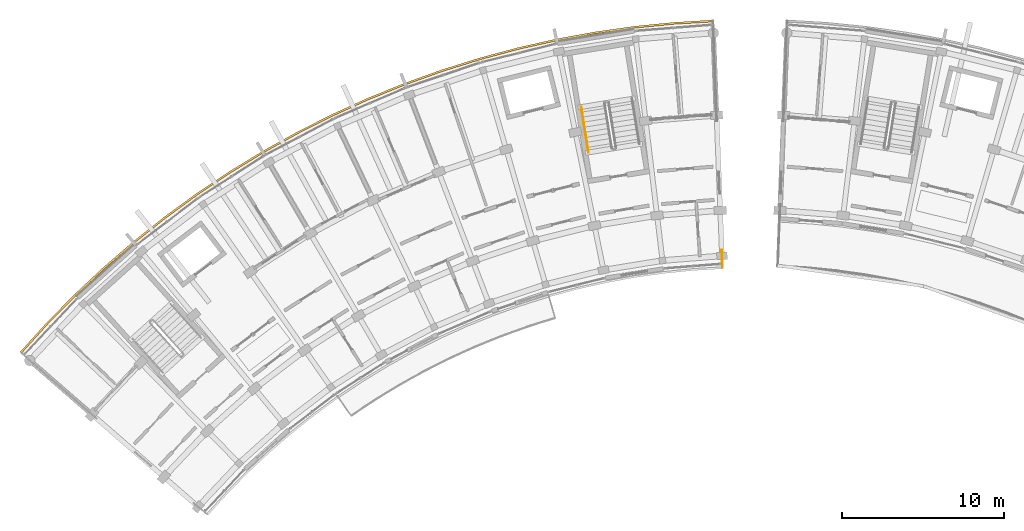
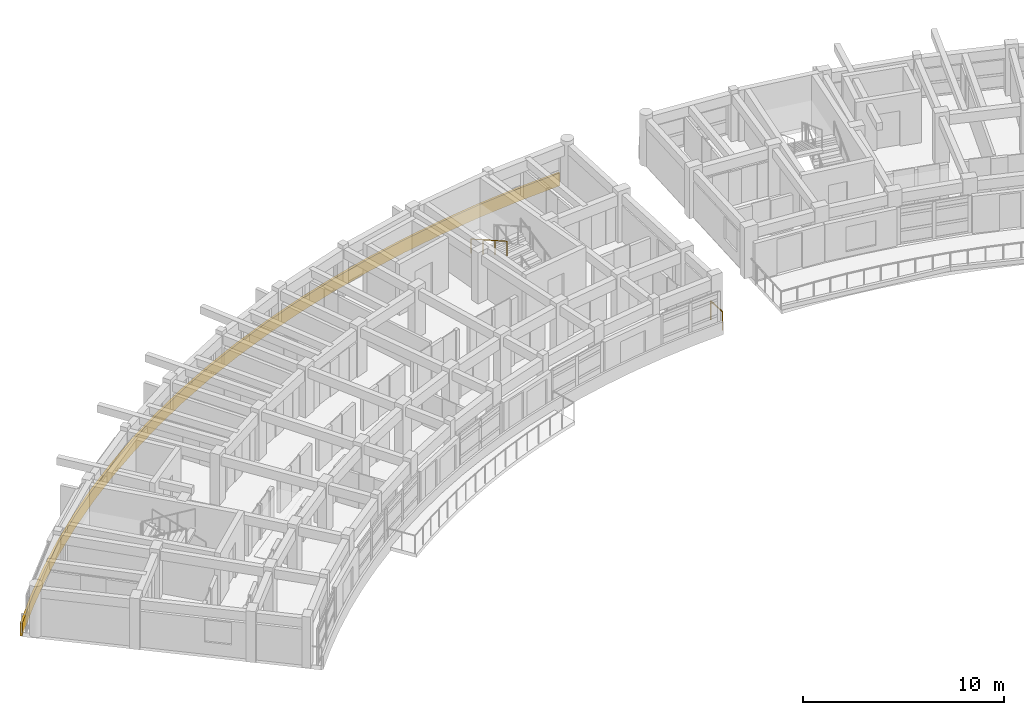
# One storey, part 31 of 38: 3 railings.
"""IFC4 building model written with IfcOpenShell, lengths in metres."""

from ifc_helpers import new_model, si_unit, direction, frame, origin, origin_2d, place, context, subcontext, project, spatial, polyline, circle, outline, extrude, material, type_object, element, save


model = new_model("IFC4")

# Units and contexts
model_context = context("Model", 3, precision=1e-05, world=origin(), true_north=direction((0.0, 1.0)))
body_context = subcontext(model_context, "Body", "Model", "MODEL_VIEW")
ifc_project = project(units=[si_unit("LENGTHUNIT", "METRE"), si_unit("AREAUNIT", "SQUARE_METRE"), si_unit("VOLUMEUNIT", "CUBIC_METRE"), si_unit("PLANEANGLEUNIT", "RADIAN"), si_unit("MASSUNIT", "GRAM", prefix="KILO")], contexts=[model_context])

# Site, building, storey
site_placement = place(None, origin())
site = spatial("IfcSite", under=ifc_project, at=site_placement, CompositionType="ELEMENT")
building_placement = place(site_placement, origin())
building = spatial("IfcBuilding", under=site, at=building_placement, Name="Zimvara Arc Housing Community", CompositionType="ELEMENT")
storey_placement = place(building_placement, frame((0.0, 0.0, 29.800048828125)))
storey = spatial("IfcBuildingStorey", under=building, at=storey_placement, Name="L09", CompositionType="ELEMENT", Elevation=29.800048828125)

# Railings
ifc_material_1 = material(Name="Anodised Aluminium AW-6063", Category="aluminium")
railing_type_1 = type_object("IfcRailingType", Name="RLG-BAL-1150", PredefinedType="BALUSTRADE", material=ifc_material_1)
railing_1_placement = place(storey_placement, frame((43.295654296875, 88.8671875, 0.0)))
element("IfcRailing", 1, at=railing_1_placement, inside=storey, type_object=railing_type_1, Name="rlg:blkA:L09:gable_in:gN", PredefinedType="BALUSTRADE", context=body_context, shape_type="SweptSolid", body=[
    extrude(circle(Radius=0.02392578125, at=origin_2d()), frame((0.0, 0.0, 1.1259765625), z_axis=(-0.038424441628, 0.999261508458, 0.0), x_axis=(-0.999261508458, -0.038424441628, 0.0)), (0.0, 0.0, 1.0), 1.080078125),
    extrude(circle(Radius=0.02099609375, at=origin_2d()), origin(), (0.0, 0.0, 1.0), 1.101806640625),
    extrude(circle(Radius=0.02099609375, at=origin_2d()), frame((-0.04150390625, 1.079345703125, 0.0)), (0.0, 0.0, 1.0), 1.101806640625),
])
ifc_material_2 = material(Name="Pale-Gold Anodised Aluminium AW-6063", Category="aluminium")
railing_type_2 = type_object("IfcRailingType", Name="RLG-FAS-780", PredefinedType="BALUSTRADE", material=ifc_material_2)
railing_2_placement = place(storey_placement, frame((0.0, 0.0, -0.219970703125)))
element("IfcRailing", 2, at=railing_2_placement, inside=storey, type_object=railing_type_2, Name="rlg:blkA:L09:gold_out", PredefinedType="BALUSTRADE", context=body_context, shape_type="SweptSolid", body=[
    extrude(outline(polyline([(0.049560546875, 83.574951171875), (1.682373046875, 85.377685546875), (3.387451171875, 87.112060546875), (5.162109375, 88.775634765625), (7.0029296875, 90.365234375), (8.9072265625, 91.87841796875), (10.871826171875, 93.3125), (12.893310546875, 94.665283203125), (14.96826171875, 95.934326171875), (17.09326171875, 97.11767578125), (19.264892578125, 98.213134765625), (21.4794921875, 99.218994140625), (23.733154296875, 100.1337890625), (26.0224609375, 100.955810546875), (28.34326171875, 101.68359375), (30.692138671875, 102.31591796875), (33.064453125, 102.851806640625), (35.45703125, 103.29052734375), (37.865234375, 103.631103515625), (40.28564453125, 103.873046875), (42.713623046875, 104.01611328125), (42.708984375, 104.135986328125), (40.276123046875, 103.99267578125), (37.850830078125, 103.750244140625), (35.437744140625, 103.408935546875), (33.04052734375, 102.969482421875), (30.6630859375, 102.432373046875), (28.309814453125, 101.798583984375), (25.984375, 101.069580078125), (23.6904296875, 100.245849609375), (21.43212890625, 99.329345703125), (19.213134765625, 98.3212890625), (17.037109375, 97.2236328125), (14.90771484375, 96.037841796875), (12.82861328125, 94.766357421875), (10.802978515625, 93.410888671875), (8.834716796875, 91.973876953125), (6.926513671875, 90.457763671875), (5.081787109375, 88.86474609375), (3.3037109375, 87.197998046875), (1.59521484375, 85.4599609375), (-0.041015625, 83.653564453125), (0.049560546875, 83.574951171875)])), origin(), (0.0, 0.0, 1.0), 0.780029296875),
])
ifc_material_3 = material(Name="Anodised Aluminium AW-6063", Category="aluminium")
railing_type_3 = type_object("IfcRailingType", Name="RLG-HND-900", PredefinedType="HANDRAIL", material=ifc_material_3)
railing_3_placement = place(storey_placement, frame((34.58056640625, 98.7666015625, 1.704833984375)))
element("IfcRailing", 3, at=railing_3_placement, inside=storey, type_object=railing_type_3, Name="L09 ST-A2 stair handrail 2", PredefinedType="HANDRAIL", context=body_context, shape_type="SweptSolid", body=[
    extrude(circle(Radius=0.02392578125, at=origin_2d()), frame((0.0, 0.0, 0.8759765625), z_axis=(0.143721784145, -0.885666177347, 0.441519502474), x_axis=(0.987087819028, 0.160180016, 0.0)), (0.0, 0.0, 1.0), 3.15966796875),
    extrude(circle(Radius=0.02099609375, at=origin_2d()), origin(), (0.0, 0.0, 1.0), 0.851806640625),
    extrude(circle(Radius=0.02099609375, at=origin_2d()), frame((0.1513671875, -0.932861328125, 0.465087890625)), (0.0, 0.0, 1.0), 0.851806640625),
    extrude(circle(Radius=0.02099609375, at=origin_2d()), frame((0.302734375, -1.865478515625, 0.929931640625)), (0.0, 0.0, 1.0), 0.851806640625),
    extrude(circle(Radius=0.02099609375, at=origin_2d()), frame((0.4541015625, -2.79833984375, 1.39501953125)), (0.0, 0.0, 1.0), 0.851806640625),
])

save(model, "model.ifc")
